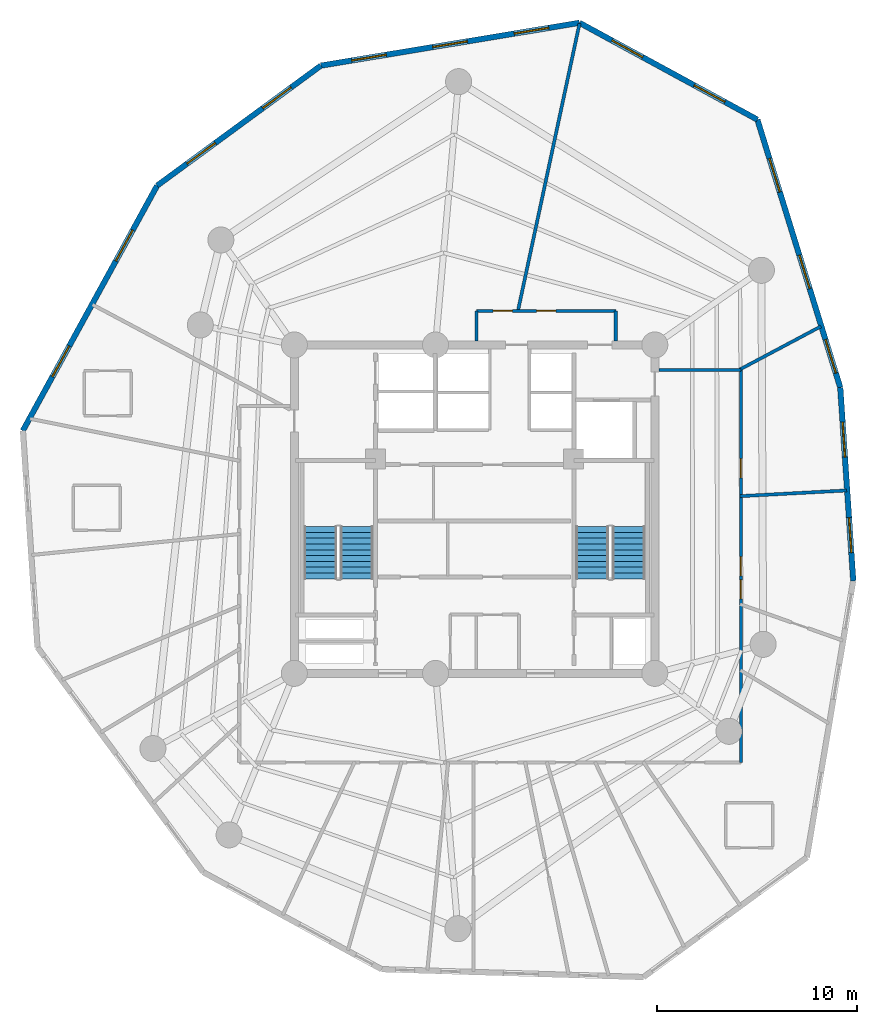
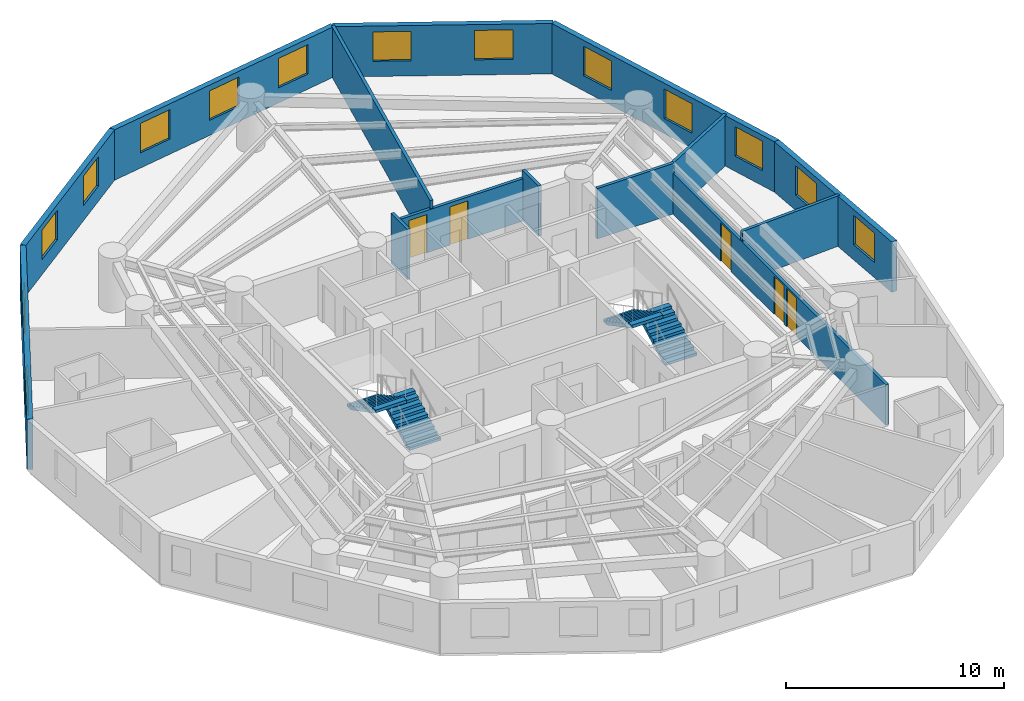
# One storey, part 6 of 7: 14 walls, 14 windows, 5 doors, 4 stair flights, 19 openings, 2 elements without a shape of their own.
"""IFC4 building model written with IfcOpenShell, lengths in metres."""

from ifc_helpers import new_model, si_unit, direction, frame, frame_2d, origin, origin_with_axes, place, context, subcontext, project, spatial, polyline, rectangle, outline, extrude, source, transform, mapped, material, layer, layer_set, type_object, element, fill, aggregate, save


model = new_model("IFC4")

# Units and contexts
model_context = context("Model", 3, precision=1e-05, world=origin(), true_north=direction((0.0, 1.0)))
body_context = subcontext(model_context, "Body", "Model", "MODEL_VIEW")
ifc_project = project(units=[si_unit("LENGTHUNIT", "METRE"), si_unit("AREAUNIT", "SQUARE_METRE"), si_unit("VOLUMEUNIT", "CUBIC_METRE"), si_unit("PLANEANGLEUNIT", "RADIAN"), si_unit("MASSUNIT", "GRAM", prefix="KILO")], contexts=[model_context])

# Site, building, storey
site_placement = place(None, origin())
site = spatial("IfcSite", under=ifc_project, at=site_placement, CompositionType="ELEMENT")
building_placement = place(site_placement, origin())
building = spatial("IfcBuilding", under=site, at=building_placement, Name="Karkom Vertical University and Central Library", CompositionType="ELEMENT")
storey_placement = place(building_placement, frame((0.0, 0.0, 196.199951171875)))
storey = spatial("IfcBuildingStorey", under=building, at=storey_placement, Name="L57", CompositionType="ELEMENT", Elevation=196.199951171875)

# Wall, openings, windows
ifc_material_1 = material(Name="Brick-faced precast concrete C45/55", Category="masonry")
ifc_layer_1 = layer(ifc_material_1, 0.280029296875)
ifc_layer_set_1 = layer_set([ifc_layer_1], Name="Brick-faced precast concrete C45/55")
wall_type_1 = type_object("IfcWallType", Name="ENV-WL-BRK-280", PredefinedType="SOLIDWALL", material=ifc_layer_set_1)
wall_1_placement = place(storey_placement, frame((47.41162109375, 22.9189453125, 0.0), z_axis=(0.0, 0.0, 1.0), x_axis=(-0.066992774764, 0.997753460595, 0.0)))
wall_1 = element("IfcWall", 1, at=wall_1_placement, inside=storey, type_object=wall_type_1, Name="Level 57 Brick-Faced Precast Facade Wall 07", PredefinedType="SOLIDWALL", context=body_context, shape_type="SweptSolid", body=[
    extrude(rectangle(XDim=9.67919921875, YDim=0.280029296875, at=frame_2d((4.839599609375, 0.0))), origin(), (0.0, 0.0, 1.0), 2.824951171875),
])
opening_1_placement = place(wall_1_placement, frame((1.4189453125, 0.0, 0.85009765625)))
opening_1 = element("IfcOpeningElement", 2, at=opening_1_placement, cuts=wall_1, Name="Opening WN-08", PredefinedType="OPENING", context=body_context, shape_type="SweptSolid", body=[
    extrude(rectangle(XDim=1.75, YDim=1.64990234375, at=frame_2d((0.875, 0.824951171875))), frame((0.0, 0.14990234375, 0.0), z_axis=(0.0, -1.0, 0.0), x_axis=(1.0, 0.0, 0.0)), (0.0, 0.0, 1.0), 0.300048828125),
])
opening_2_placement = place(wall_1_placement, frame((6.198486328125, 0.0, 0.85009765625)))
opening_2 = element("IfcOpeningElement", 3, at=opening_2_placement, cuts=wall_1, Name="Opening WN-08", PredefinedType="OPENING", context=body_context, shape_type="SweptSolid", body=[
    extrude(rectangle(XDim=1.75, YDim=1.64990234375, at=frame_2d((0.875, 0.824951171875))), frame((0.0, 0.14990234375, 0.0), z_axis=(0.0, -1.0, 0.0), x_axis=(1.0, 0.0, 0.0)), (0.0, 0.0, 1.0), 0.300048828125),
])
ifc_material_2 = material(Name="Aluminium thermal-break frame with solar-control IGU", Category="aluminium")
window_type = type_object("IfcWindowType", Name="ENV-WIN-WN-08", PartitioningType="SINGLE_PANEL", PredefinedType="WINDOW", material=ifc_material_2)
shared_shape_1 = source(origin_with_axes(), body_context, "Body", "SweptSolid", [
    extrude(rectangle(XDim=1.75, YDim=1.64990234375, at=frame_2d((0.875, 0.824951171875))), frame((0.0, 0.030029296875, 0.0), z_axis=(0.0, -1.0, 0.0), x_axis=(1.0, 0.0, 0.0)), (0.0, 0.0, 1.0), 0.06005859375),
])
window_1_placement = place(opening_1_placement, origin())
window_1 = element("IfcWindow", 4, at=window_1_placement, inside=storey, type_object=window_type, Name="Level 57 Punched Window 7.1", OverallHeight=1.64990234375, OverallWidth=1.75, PartitioningType="SINGLE_PANEL", PredefinedType="WINDOW", context=body_context, shape_type="MappedRepresentation", body=[
    mapped(shared_shape_1, transform((0.0, 0.0, 0.0), scale=1.0)),
])
fill(opening_1, window_1)
window_2_placement = place(opening_2_placement, origin())
window_2 = element("IfcWindow", 5, at=window_2_placement, inside=storey, type_object=window_type, Name="Level 57 Punched Window 7.2", OverallHeight=1.64990234375, OverallWidth=1.75, PartitioningType="SINGLE_PANEL", PredefinedType="WINDOW", context=body_context, shape_type="MappedRepresentation", body=[
    mapped(shared_shape_1, transform((0.0, 0.0, 0.0), scale=1.0)),
])
fill(opening_2, window_2)

wall_2_placement = place(storey_placement, frame((46.76318359375, 32.576416015625, 0.0), z_axis=(0.0, 0.0, 1.0), x_axis=(-0.295534848936, 0.955331959616, 0.0)))
wall_2 = element("IfcWall", 6, at=wall_2_placement, inside=storey, type_object=wall_type_1, Name="Level 57 Brick-Faced Precast Facade Wall 08", PredefinedType="SOLIDWALL", context=body_context, shape_type="SweptSolid", body=[
    extrude(rectangle(XDim=14.003173828125, YDim=0.280029296875, at=frame_2d((7.00146484375, 0.0))), origin(), (0.0, 0.0, 1.0), 2.824951171875),
])
opening_3_placement = place(wall_2_placement, frame((0.752197265625, 0.0, 0.85009765625)))
opening_3 = element("IfcOpeningElement", 7, at=opening_3_placement, cuts=wall_2, Name="Opening WN-08", PredefinedType="OPENING", context=body_context, shape_type="SweptSolid", body=[
    extrude(rectangle(XDim=1.75, YDim=1.64990234375, at=frame_2d((0.875, 0.824951171875))), frame((0.0, 0.14990234375, 0.0), z_axis=(0.0, -1.0, 0.0), x_axis=(1.0, 0.0, 0.0)), (0.0, 0.0, 1.0), 0.300048828125),
])
opening_4_placement = place(wall_2_placement, frame((5.16650390625, 0.0, 0.85009765625)))
opening_4 = element("IfcOpeningElement", 8, at=opening_4_placement, cuts=wall_2, Name="Opening WN-08", PredefinedType="OPENING", context=body_context, shape_type="SweptSolid", body=[
    extrude(rectangle(XDim=1.75, YDim=1.64990234375, at=frame_2d((0.875, 0.824951171875))), frame((0.0, 0.14990234375, 0.0), z_axis=(0.0, -1.0, 0.0), x_axis=(1.0, 0.0, 0.0)), (0.0, 0.0, 1.0), 0.300048828125),
])
opening_5_placement = place(wall_2_placement, frame((10.22119140625, 0.0, 0.85009765625)))
opening_5 = element("IfcOpeningElement", 9, at=opening_5_placement, cuts=wall_2, Name="Opening WN-08", PredefinedType="OPENING", context=body_context, shape_type="SweptSolid", body=[
    extrude(rectangle(XDim=1.75, YDim=1.64990234375, at=frame_2d((0.875, 0.824951171875))), frame((0.0, 0.14990234375, 0.0), z_axis=(0.0, -1.0, 0.0), x_axis=(1.0, 0.0, 0.0)), (0.0, 0.0, 1.0), 0.300048828125),
])
window_3_placement = place(opening_3_placement, origin())
window_3 = element("IfcWindow", 10, at=window_3_placement, inside=storey, type_object=window_type, Name="Level 57 Punched Window 8.1", OverallHeight=1.64990234375, OverallWidth=1.75, PartitioningType="SINGLE_PANEL", PredefinedType="WINDOW", context=body_context, shape_type="MappedRepresentation", body=[
    mapped(shared_shape_1, transform((0.0, 0.0, 0.0), scale=1.0)),
])
fill(opening_3, window_3)
window_4_placement = place(opening_4_placement, origin())
window_4 = element("IfcWindow", 11, at=window_4_placement, inside=storey, type_object=window_type, Name="Level 57 Punched Window 8.2", OverallHeight=1.64990234375, OverallWidth=1.75, PartitioningType="SINGLE_PANEL", PredefinedType="WINDOW", context=body_context, shape_type="MappedRepresentation", body=[
    mapped(shared_shape_1, transform((0.0, 0.0, 0.0), scale=1.0)),
])
fill(opening_4, window_4)
window_5_placement = place(opening_5_placement, origin())
window_5 = element("IfcWindow", 12, at=window_5_placement, inside=storey, type_object=window_type, Name="Level 57 Punched Window 8.3", OverallHeight=1.64990234375, OverallWidth=1.75, PartitioningType="SINGLE_PANEL", PredefinedType="WINDOW", context=body_context, shape_type="MappedRepresentation", body=[
    mapped(shared_shape_1, transform((0.0, 0.0, 0.0), scale=1.0)),
])
fill(opening_5, window_5)

wall_3_placement = place(storey_placement, frame((42.624755859375, 45.9541015625, 0.0), z_axis=(0.0, 0.0, 1.0), x_axis=(-0.878362695915, 0.477994743094, 0.0)))
wall_3 = element("IfcWall", 13, at=wall_3_placement, inside=storey, type_object=wall_type_1, Name="Level 57 Brick-Faced Precast Facade Wall 09", PredefinedType="SOLIDWALL", context=body_context, shape_type="SweptSolid", body=[
    extrude(rectangle(XDim=10.11767578125, YDim=0.280029296875, at=frame_2d((5.058837890625, 0.0))), origin(), (0.0, 0.0, 1.0), 2.824951171875),
])
opening_6_placement = place(wall_3_placement, frame((1.844482421875, 0.0, 0.85009765625)))
opening_6 = element("IfcOpeningElement", 14, at=opening_6_placement, cuts=wall_3, Name="Opening WN-08", PredefinedType="OPENING", context=body_context, shape_type="SweptSolid", body=[
    extrude(rectangle(XDim=1.75, YDim=1.64990234375, at=frame_2d((0.875, 0.824951171875))), frame((0.0, 0.14990234375, 0.0), z_axis=(0.0, -1.0, 0.0), x_axis=(1.0, 0.0, 0.0)), (0.0, 0.0, 1.0), 0.300048828125),
])
opening_7_placement = place(wall_3_placement, frame((6.523193359375, 0.0, 0.85009765625)))
opening_7 = element("IfcOpeningElement", 15, at=opening_7_placement, cuts=wall_3, Name="Opening WN-08", PredefinedType="OPENING", context=body_context, shape_type="SweptSolid", body=[
    extrude(rectangle(XDim=1.75, YDim=1.64990234375, at=frame_2d((0.875, 0.824951171875))), frame((0.0, 0.14990234375, 0.0), z_axis=(0.0, -1.0, 0.0), x_axis=(1.0, 0.0, 0.0)), (0.0, 0.0, 1.0), 0.300048828125),
])
window_6_placement = place(opening_6_placement, origin())
window_6 = element("IfcWindow", 16, at=window_6_placement, inside=storey, type_object=window_type, Name="Level 57 Punched Window 9.1", OverallHeight=1.64990234375, OverallWidth=1.75, PartitioningType="SINGLE_PANEL", PredefinedType="WINDOW", context=body_context, shape_type="MappedRepresentation", body=[
    mapped(shared_shape_1, transform((0.0, 0.0, 0.0), scale=1.0)),
])
fill(opening_6, window_6)
window_7_placement = place(opening_7_placement, origin())
window_7 = element("IfcWindow", 17, at=window_7_placement, inside=storey, type_object=window_type, Name="Level 57 Punched Window 9.2", OverallHeight=1.64990234375, OverallWidth=1.75, PartitioningType="SINGLE_PANEL", PredefinedType="WINDOW", context=body_context, shape_type="MappedRepresentation", body=[
    mapped(shared_shape_1, transform((0.0, 0.0, 0.0), scale=1.0)),
])
fill(opening_7, window_7)

wall_4_placement = place(storey_placement, frame((33.73779296875, 50.790283203125, 0.0), z_axis=(0.0, 0.0, 1.0), x_axis=(-0.98657580956, -0.163303925219, 0.0)))
wall_4 = element("IfcWall", 18, at=wall_4_placement, inside=storey, type_object=wall_type_1, Name="Level 57 Brick-Faced Precast Facade Wall 10", PredefinedType="SOLIDWALL", context=body_context, shape_type="SweptSolid", body=[
    extrude(rectangle(XDim=13.0888671875, YDim=0.280029296875, at=frame_2d((6.54443359375, 0.0))), origin(), (0.0, 0.0, 1.0), 2.824951171875),
])
opening_8_placement = place(wall_4_placement, frame((1.559814453125, 0.0, 0.85009765625)))
opening_8 = element("IfcOpeningElement", 19, at=opening_8_placement, cuts=wall_4, Name="Opening WN-08", PredefinedType="OPENING", context=body_context, shape_type="SweptSolid", body=[
    extrude(rectangle(XDim=1.75, YDim=1.64990234375, at=frame_2d((0.875, 0.824951171875))), frame((0.0, 0.14990234375, 0.0), z_axis=(0.0, -1.0, 0.0), x_axis=(1.0, 0.0, 0.0)), (0.0, 0.0, 1.0), 0.300048828125),
])
opening_9_placement = place(wall_4_placement, frame((5.66943359375, 0.0, 0.85009765625)))
opening_9 = element("IfcOpeningElement", 20, at=opening_9_placement, cuts=wall_4, Name="Opening WN-08", PredefinedType="OPENING", context=body_context, shape_type="SweptSolid", body=[
    extrude(rectangle(XDim=1.75, YDim=1.64990234375, at=frame_2d((0.875, 0.824951171875))), frame((0.0, 0.14990234375, 0.0), z_axis=(0.0, -1.0, 0.0), x_axis=(1.0, 0.0, 0.0)), (0.0, 0.0, 1.0), 0.300048828125),
])
opening_10_placement = place(wall_4_placement, frame((9.77880859375, 0.0, 0.85009765625)))
opening_10 = element("IfcOpeningElement", 21, at=opening_10_placement, cuts=wall_4, Name="Opening WN-08", PredefinedType="OPENING", context=body_context, shape_type="SweptSolid", body=[
    extrude(rectangle(XDim=1.75, YDim=1.64990234375, at=frame_2d((0.875, 0.824951171875))), frame((0.0, 0.14990234375, 0.0), z_axis=(0.0, -1.0, 0.0), x_axis=(1.0, 0.0, 0.0)), (0.0, 0.0, 1.0), 0.300048828125),
])
window_8_placement = place(opening_8_placement, origin())
window_8 = element("IfcWindow", 22, at=window_8_placement, inside=storey, type_object=window_type, Name="Level 57 Punched Window 10.1", OverallHeight=1.64990234375, OverallWidth=1.75, PartitioningType="SINGLE_PANEL", PredefinedType="WINDOW", context=body_context, shape_type="MappedRepresentation", body=[
    mapped(shared_shape_1, transform((0.0, 0.0, 0.0), scale=1.0)),
])
fill(opening_8, window_8)
window_9_placement = place(opening_9_placement, origin())
window_9 = element("IfcWindow", 23, at=window_9_placement, inside=storey, type_object=window_type, Name="Level 57 Punched Window 10.2", OverallHeight=1.64990234375, OverallWidth=1.75, PartitioningType="SINGLE_PANEL", PredefinedType="WINDOW", context=body_context, shape_type="MappedRepresentation", body=[
    mapped(shared_shape_1, transform((0.0, 0.0, 0.0), scale=1.0)),
])
fill(opening_9, window_9)
window_10_placement = place(opening_10_placement, origin())
window_10 = element("IfcWindow", 24, at=window_10_placement, inside=storey, type_object=window_type, Name="Level 57 Punched Window 10.3", OverallHeight=1.64990234375, OverallWidth=1.75, PartitioningType="SINGLE_PANEL", PredefinedType="WINDOW", context=body_context, shape_type="MappedRepresentation", body=[
    mapped(shared_shape_1, transform((0.0, 0.0, 0.0), scale=1.0)),
])
fill(opening_10, window_10)

wall_5_placement = place(storey_placement, frame((20.82470703125, 48.65283203125, 0.0), z_axis=(0.0, 0.0, 1.0), x_axis=(-0.80659938812, -0.591098491864, 0.0)))
wall_5 = element("IfcWall", 25, at=wall_5_placement, inside=storey, type_object=wall_type_1, Name="Level 57 Brick-Faced Precast Facade Wall 11", PredefinedType="SOLIDWALL", context=body_context, shape_type="SweptSolid", body=[
    extrude(rectangle(XDim=10.139404296875, YDim=0.280029296875, at=frame_2d((5.06982421875, 0.0))), origin(), (0.0, 0.0, 1.0), 2.824951171875),
])
opening_11_placement = place(wall_5_placement, frame((1.849853515625, 0.0, 0.85009765625)))
opening_11 = element("IfcOpeningElement", 26, at=opening_11_placement, cuts=wall_5, Name="Opening WN-08", PredefinedType="OPENING", context=body_context, shape_type="SweptSolid", body=[
    extrude(rectangle(XDim=1.75, YDim=1.64990234375, at=frame_2d((0.875, 0.824951171875))), frame((0.0, 0.14990234375, 0.0), z_axis=(0.0, -1.0, 0.0), x_axis=(1.0, 0.0, 0.0)), (0.0, 0.0, 1.0), 0.300048828125),
])
opening_12_placement = place(wall_5_placement, frame((6.53955078125, 0.0, 0.85009765625)))
opening_12 = element("IfcOpeningElement", 27, at=opening_12_placement, cuts=wall_5, Name="Opening WN-08", PredefinedType="OPENING", context=body_context, shape_type="SweptSolid", body=[
    extrude(rectangle(XDim=1.75, YDim=1.64990234375, at=frame_2d((0.875, 0.824951171875))), frame((0.0, 0.14990234375, 0.0), z_axis=(0.0, -1.0, 0.0), x_axis=(1.0, 0.0, 0.0)), (0.0, 0.0, 1.0), 0.300048828125),
])
window_11_placement = place(opening_11_placement, origin())
window_11 = element("IfcWindow", 28, at=window_11_placement, inside=storey, type_object=window_type, Name="Level 57 Punched Window 11.1", OverallHeight=1.64990234375, OverallWidth=1.75, PartitioningType="SINGLE_PANEL", PredefinedType="WINDOW", context=body_context, shape_type="MappedRepresentation", body=[
    mapped(shared_shape_1, transform((0.0, 0.0, 0.0), scale=1.0)),
])
fill(opening_11, window_11)
window_12_placement = place(opening_12_placement, origin())
window_12 = element("IfcWindow", 29, at=window_12_placement, inside=storey, type_object=window_type, Name="Level 57 Punched Window 11.2", OverallHeight=1.64990234375, OverallWidth=1.75, PartitioningType="SINGLE_PANEL", PredefinedType="WINDOW", context=body_context, shape_type="MappedRepresentation", body=[
    mapped(shared_shape_1, transform((0.0, 0.0, 0.0), scale=1.0)),
])
fill(opening_12, window_12)

wall_6_placement = place(storey_placement, frame((12.646240234375, 42.659423828125, 0.0), z_axis=(0.0, 0.0, 1.0), x_axis=(-0.480569294364, -0.87695675681, 0.0)))
wall_6 = element("IfcWall", 30, at=wall_6_placement, inside=storey, type_object=wall_type_1, Name="Level 57 Brick-Faced Precast Facade Wall 12", PredefinedType="SOLIDWALL", context=body_context, shape_type="SweptSolid", body=[
    extrude(rectangle(XDim=13.95849609375, YDim=0.280029296875, at=frame_2d((6.979248046875, 0.0))), origin(), (0.0, 0.0, 1.0), 2.824951171875),
])
opening_13_placement = place(wall_6_placement, frame((2.53759765625, 0.0, 0.85009765625)))
opening_13 = element("IfcOpeningElement", 31, at=opening_13_placement, cuts=wall_6, Name="Opening WN-08", PredefinedType="OPENING", context=body_context, shape_type="SweptSolid", body=[
    extrude(rectangle(XDim=1.75, YDim=1.64990234375, at=frame_2d((0.875, 0.824951171875))), frame((0.0, 0.14990234375, 0.0), z_axis=(0.0, -1.0, 0.0), x_axis=(1.0, 0.0, 0.0)), (0.0, 0.0, 1.0), 0.300048828125),
])
opening_14_placement = place(wall_6_placement, frame((9.13330078125, 0.0, 0.85009765625)))
opening_14 = element("IfcOpeningElement", 32, at=opening_14_placement, cuts=wall_6, Name="Opening WN-08", PredefinedType="OPENING", context=body_context, shape_type="SweptSolid", body=[
    extrude(rectangle(XDim=1.75, YDim=1.64990234375, at=frame_2d((0.875, 0.824951171875))), frame((0.0, 0.14990234375, 0.0), z_axis=(0.0, -1.0, 0.0), x_axis=(1.0, 0.0, 0.0)), (0.0, 0.0, 1.0), 0.300048828125),
])
window_13_placement = place(opening_13_placement, origin())
window_13 = element("IfcWindow", 33, at=window_13_placement, inside=storey, type_object=window_type, Name="Level 57 Punched Window 12.1", OverallHeight=1.64990234375, OverallWidth=1.75, PartitioningType="SINGLE_PANEL", PredefinedType="WINDOW", context=body_context, shape_type="MappedRepresentation", body=[
    mapped(shared_shape_1, transform((0.0, 0.0, 0.0), scale=1.0)),
])
fill(opening_13, window_13)
window_14_placement = place(opening_14_placement, origin())
window_14 = element("IfcWindow", 34, at=window_14_placement, inside=storey, type_object=window_type, Name="Level 57 Punched Window 12.2", OverallHeight=1.64990234375, OverallWidth=1.75, PartitioningType="SINGLE_PANEL", PredefinedType="WINDOW", context=body_context, shape_type="MappedRepresentation", body=[
    mapped(shared_shape_1, transform((0.0, 0.0, 0.0), scale=1.0)),
])
fill(opening_14, window_14)

# Wall, openings, doors
ifc_material_3 = material(Name="Insulated metal-stud drywall 160mm", Category="gypsum")
ifc_layer_2 = layer(ifc_material_3, 0.159912109375)
ifc_layer_set_2 = layer_set([ifc_layer_2], Name="Insulated metal-stud drywall 160mm")
wall_type_2 = type_object("IfcWallType", Name="INT-WL-COR-160", PredefinedType="PARTITIONING", material=ifc_layer_set_2)
wall_7_placement = place(storey_placement, frame((41.800048828125, 33.449951171875, 0.0), z_axis=(0.0, 0.0, 1.0), x_axis=(0.0, -1.0, 0.0)))
wall_7 = element("IfcWall", 35, at=wall_7_placement, inside=storey, type_object=wall_type_2, Name="Level 57 Interior Partition Wall L57-CORW-CW-005", PredefinedType="PARTITIONING", context=body_context, shape_type="SweptSolid", body=[
    extrude(rectangle(XDim=19.599853515625, YDim=0.159912109375, at=frame_2d((9.7998046875, 0.0))), origin(), (0.0, 0.0, 1.0), 2.275146484375),
])
opening_15_placement = place(wall_7_placement, frame((10.47509765625, 0.0, 0.0)))
opening_15 = element("IfcOpeningElement", 36, at=opening_15_placement, cuts=wall_7, Name="Opening FD-RM2", PredefinedType="OPENING", context=body_context, shape_type="SweptSolid", body=[
    extrude(rectangle(XDim=0.9599609375, YDim=2.14990234375, at=frame_2d((0.47998046875, 1.074951171875))), frame((0.0, 0.08984375, 0.0), z_axis=(0.0, -1.0, 0.0), x_axis=(1.0, 0.0, 0.0)), (0.0, 0.0, 1.0), 0.179931640625),
])
opening_16_placement = place(wall_7_placement, frame((9.324951171875, 0.0, 0.0)))
opening_16 = element("IfcOpeningElement", 37, at=opening_16_placement, cuts=wall_7, Name="Opening FD-RM2", PredefinedType="OPENING", context=body_context, shape_type="SweptSolid", body=[
    extrude(rectangle(XDim=0.9599609375, YDim=2.14990234375, at=frame_2d((0.47998046875, 1.074951171875))), frame((0.0, 0.08984375, 0.0), z_axis=(0.0, -1.0, 0.0), x_axis=(1.0, 0.0, 0.0)), (0.0, 0.0, 1.0), 0.179931640625),
])
opening_17_placement = place(wall_7_placement, frame((4.425048828125, 0.0, 0.0)))
opening_17 = element("IfcOpeningElement", 38, at=opening_17_placement, cuts=wall_7, Name="Opening FD-RM2", PredefinedType="OPENING", context=body_context, shape_type="SweptSolid", body=[
    extrude(rectangle(XDim=0.9599609375, YDim=2.14990234375, at=frame_2d((0.47998046875, 1.074951171875))), frame((0.0, 0.08984375, 0.0), z_axis=(0.0, -1.0, 0.0), x_axis=(1.0, 0.0, 0.0)), (0.0, 0.0, 1.0), 0.179931640625),
])
ifc_material_4 = material(Name="Fire-rated oak veneer door", Category="wood")
door_type = type_object("IfcDoorType", Name="INT-DR-FRM2", OperationType="NOTDEFINED", PredefinedType="DOOR", material=ifc_material_4)
shared_shape_2 = source(origin_with_axes(), body_context, "Body", "SweptSolid", [
    extrude(rectangle(XDim=0.9599609375, YDim=2.14990234375, at=frame_2d((0.47998046875, 1.074951171875))), frame((0.0, 0.02490234375, 0.0), z_axis=(0.0, -1.0, 0.0), x_axis=(1.0, 0.0, 0.0)), (0.0, 0.0, 1.0), 0.050048828125),
])
door_1_placement = place(opening_15_placement, origin())
door_1 = element("IfcDoor", 39, at=door_1_placement, inside=storey, type_object=door_type, Name="Level 57 Room Entry Door 121", OperationType="SINGLE_SWING_RIGHT", OverallHeight=2.14990234375, OverallWidth=0.9599609375, PredefinedType="DOOR", context=body_context, shape_type="MappedRepresentation", body=[
    mapped(shared_shape_2, transform((0.0, 0.0, 0.0), scale=1.0)),
])
fill(opening_15, door_1)
door_2_placement = place(opening_16_placement, origin())
door_2 = element("IfcDoor", 40, at=door_2_placement, inside=storey, type_object=door_type, Name="Level 57 Room Entry Door 131", OperationType="SINGLE_SWING_LEFT", OverallHeight=2.14990234375, OverallWidth=0.9599609375, PredefinedType="DOOR", context=body_context, shape_type="MappedRepresentation", body=[
    mapped(shared_shape_2, transform((0.0, 0.0, 0.0), scale=1.0)),
])
fill(opening_16, door_2)
door_3_placement = place(opening_17_placement, origin())
door_3 = element("IfcDoor", 41, at=door_3_placement, inside=storey, type_object=door_type, Name="Level 57 Room Entry Door 141", OperationType="SINGLE_SWING_RIGHT", OverallHeight=2.14990234375, OverallWidth=0.9599609375, PredefinedType="DOOR", context=body_context, shape_type="MappedRepresentation", body=[
    mapped(shared_shape_2, transform((0.0, 0.0, 0.0), scale=1.0)),
])
fill(opening_17, door_3)

# Wall
wall_8_placement = place(storey_placement, frame((30.6591796875, 36.37060546875, 0.0), z_axis=(0.0, 0.0, 1.0), x_axis=(0.209532488477, 0.977801685554, 0.0)))
element("IfcWall", 42, at=wall_8_placement, inside=storey, type_object=wall_type_2, Name="Level 57 Interior Partition Wall L57-PW-017", PredefinedType="PARTITIONING", context=body_context, shape_type="SweptSolid", body=[
    extrude(rectangle(XDim=14.712646484375, YDim=0.159912109375, at=frame_2d((7.3564453125, 0.0))), origin(), (0.0, 0.0, 1.0), 2.824951171875),
])

# Wall, openings, doors
wall_9_placement = place(storey_placement, frame((28.60009765625, 36.39990234375, 0.0), z_axis=(0.0, 0.0, 1.0), x_axis=(1.0, 0.0, 0.0)))
wall_9 = element("IfcWall", 43, at=wall_9_placement, inside=storey, type_object=wall_type_2, Name="Level 57 Interior Partition Wall L57-CORW-CW-007", PredefinedType="PARTITIONING", context=body_context, shape_type="SweptSolid", body=[
    extrude(rectangle(XDim=6.949951171875, YDim=0.159912109375, at=frame_2d((3.47509765625, 0.0))), origin(), (0.0, 0.0, 1.0), 2.375),
])
opening_18_placement = place(wall_9_placement, frame((3.0, 0.0, 0.0)))
opening_18 = element("IfcOpeningElement", 44, at=opening_18_placement, cuts=wall_9, Name="Opening FD-RM2", PredefinedType="OPENING", context=body_context, shape_type="SweptSolid", body=[
    extrude(rectangle(XDim=0.9599609375, YDim=2.14990234375, at=frame_2d((0.47998046875, 1.074951171875))), frame((0.0, 0.08984375, 0.0), z_axis=(0.0, -1.0, 0.0), x_axis=(1.0, 0.0, 0.0)), (0.0, 0.0, 1.0), 0.179931640625),
])
opening_19_placement = place(wall_9_placement, frame((0.822509765625, 0.0, 0.0)))
opening_19 = element("IfcOpeningElement", 45, at=opening_19_placement, cuts=wall_9, Name="Opening FD-RM2", PredefinedType="OPENING", context=body_context, shape_type="SweptSolid", body=[
    extrude(rectangle(XDim=0.9599609375, YDim=2.14990234375, at=frame_2d((0.47998046875, 1.074951171875))), frame((0.0, 0.08984375, 0.0), z_axis=(0.0, -1.0, 0.0), x_axis=(1.0, 0.0, 0.0)), (0.0, 0.0, 1.0), 0.179931640625),
])
door_4_placement = place(opening_18_placement, origin())
door_4 = element("IfcDoor", 46, at=door_4_placement, inside=storey, type_object=door_type, Name="Level 57 Room Entry Door 151", OperationType="SINGLE_SWING_LEFT", OverallHeight=2.14990234375, OverallWidth=0.9599609375, PredefinedType="DOOR", context=body_context, shape_type="MappedRepresentation", body=[
    mapped(shared_shape_2, transform((0.0, 0.0, 0.0), scale=1.0)),
])
fill(opening_18, door_4)
door_5_placement = place(opening_19_placement, origin())
door_5 = element("IfcDoor", 47, at=door_5_placement, inside=storey, type_object=door_type, Name="Level 57 Room Entry Door 161", OperationType="SINGLE_SWING_RIGHT", OverallHeight=2.14990234375, OverallWidth=0.9599609375, PredefinedType="DOOR", context=body_context, shape_type="MappedRepresentation", body=[
    mapped(shared_shape_2, transform((0.0, 0.0, 0.0), scale=1.0)),
])
fill(opening_19, door_5)

# Walls
wall_10_placement = place(storey_placement, frame((41.7548828125, 27.149169921875, 0.0), z_axis=(0.0, 0.0, 1.0), x_axis=(0.998571185588, 0.053437695628, 0.0)))
element("IfcWall", 48, at=wall_10_placement, inside=storey, type_object=wall_type_2, Name="Level 57 Interior Partition Wall L57-PW-015", PredefinedType="PARTITIONING", context=body_context, shape_type="SweptSolid", body=[
    extrude(rectangle(XDim=5.336181640625, YDim=0.159912109375, at=frame_2d((2.66796875, 0.0))), origin(), (0.0, 0.0, 1.0), 2.824951171875),
])
wall_11_placement = place(storey_placement, frame((41.67236328125, 33.435791015625, 0.0), z_axis=(0.0, 0.0, 1.0), x_axis=(0.88293884482, 0.469488015085, 0.0)))
element("IfcWall", 49, at=wall_11_placement, inside=storey, type_object=wall_type_2, Name="Level 57 Interior Partition Wall L57-PW-016", PredefinedType="PARTITIONING", context=body_context, shape_type="SweptSolid", body=[
    extrude(rectangle(XDim=4.666015625, YDim=0.159912109375, at=frame_2d((2.3330078125, 0.0))), origin(), (0.0, 0.0, 1.0), 2.824951171875),
])
wall_12_placement = place(storey_placement, frame((37.70703125, 33.449951171875, 0.0), z_axis=(0.0, 0.0, 1.0), x_axis=(1.0, 0.0, 0.0)))
element("IfcWall", 50, at=wall_12_placement, inside=storey, type_object=wall_type_2, Name="Level 57 Interior Partition Wall L57-CORW-CW-004", PredefinedType="PARTITIONING", context=body_context, shape_type="SweptSolid", body=[
    extrude(rectangle(XDim=4.093017578125, YDim=0.159912109375, at=frame_2d((2.04638671875, 0.0))), origin(), (0.0, 0.0, 1.0), 2.824951171875),
])
for number, where, z_axis, x_axis, name in (
    (51, (28.60009765625, 34.906982421875, 0.0), (0.0, 0.0, 1.0), (0.0, 1.0, 0.0), "Level 57 Interior Partition Wall L57-CORW-CW-006"),
    (52, (35.550048828125, 36.39990234375, 0.0), (0.0, 0.0, 1.0), (0.0, -1.0, 0.0), "Level 57 Interior Partition Wall L57-CORW-CW-008"),
):
    element("IfcWall", number, at=place(storey_placement, frame(where, z_axis=z_axis, x_axis=x_axis)), inside=storey, type_object=wall_type_2, Name=name, PredefinedType="PARTITIONING", context=body_context, shape_type="SweptSolid", body=[
        extrude(rectangle(XDim=1.492919921875, YDim=0.159912109375, at=frame_2d((0.74658203125, 0.0))), origin(), (0.0, 0.0, 1.0), 2.824951171875),
    ])

# Stair, stair flights
ifc_material_5 = material(Name="Concrete C45/55", Category="concrete")
stair_type = type_object("IfcStairType", Name="INT-STR-ST-MAIN", PredefinedType="HALF_TURN_STAIR", material=ifc_material_5)
stair_1_placement = place(storey_placement, origin())
stair_1 = element("IfcStair", 53, at=stair_1_placement, inside=storey, type_object=stair_type, Name="Level 57 Tower Protected Exit Stair ST-1", PredefinedType="HALF_TURN_STAIR")
stair_flight_type = type_object("IfcStairFlightType", Name="INT-SFL-ST-MAIN", PredefinedType="STRAIGHT", material=ifc_material_5)
stair_flight_1_placement = place(storey_placement, frame((22.614990234375, 23.02001953125, 0.0), z_axis=(0.0, 0.0, 1.0), x_axis=(0.0, 1.0, 0.0)))
stair_flight_1 = element("IfcStairFlight", 54, at=stair_flight_1_placement, type_object=stair_flight_type, Name="ST-1 flight 1", NumberOfRisers=10, NumberOfTreads=9, PredefinedType="STRAIGHT", RiserHeight=0.1525, TreadLength=0.29, context=body_context, shape_type="SweptSolid", body=[
    extrude(outline(polyline([(0.0, 0.0), (0.0, 0.152587890625), (0.2900390625, 0.152587890625), (0.2900390625, 0.304931640625), (0.580078125, 0.304931640625), (0.580078125, 0.45751953125), (0.8701171875, 0.45751953125), (0.8701171875, 0.610107421875), (1.159912109375, 0.610107421875), (1.159912109375, 0.762451171875), (1.449951171875, 0.762451171875), (1.449951171875, 0.9150390625), (1.739990234375, 0.9150390625), (1.739990234375, 1.0673828125), (2.030029296875, 1.0673828125), (2.030029296875, 1.219970703125), (2.320068359375, 1.219970703125), (2.320068359375, 1.37255859375), (2.610107421875, 1.37255859375), (2.610107421875, 1.52490234375), (2.610107421875, 1.203125), (0.322021484375, 0.0), (0.0, 0.0)])), frame((0.0, 0.824951171875, 0.0), z_axis=(0.0, -1.0, 0.0), x_axis=(1.0, 0.0, 0.0)), (0.0, 0.0, 1.0), 1.64990234375),
])
stair_flight_2_placement = place(storey_placement, frame((20.804931640625, 25.6298828125, 1.525146484375), z_axis=(0.0, 0.0, 1.0), x_axis=(0.0, -1.0, 0.0)))
stair_flight_2 = element("IfcStairFlight", 55, at=stair_flight_2_placement, type_object=stair_flight_type, Name="ST-1 flight 2", NumberOfRisers=10, NumberOfTreads=9, PredefinedType="STRAIGHT", RiserHeight=0.1525, TreadLength=0.29, context=body_context, shape_type="SweptSolid", body=[
    extrude(outline(polyline([(0.0, 0.0), (0.0, 0.152587890625), (0.2900390625, 0.152587890625), (0.2900390625, 0.304931640625), (0.580078125, 0.304931640625), (0.580078125, 0.45751953125), (0.8701171875, 0.45751953125), (0.8701171875, 0.610107421875), (1.159912109375, 0.610107421875), (1.159912109375, 0.762451171875), (1.449951171875, 0.762451171875), (1.449951171875, 0.9150390625), (1.739990234375, 0.9150390625), (1.739990234375, 1.0673828125), (2.030029296875, 1.0673828125), (2.030029296875, 1.219970703125), (2.320068359375, 1.219970703125), (2.320068359375, 1.37255859375), (2.610107421875, 1.37255859375), (2.610107421875, 1.52490234375), (2.610107421875, 1.203125), (0.322021484375, 0.0), (0.0, 0.0)])), frame((0.0, 0.824951171875, 0.0), z_axis=(0.0, -1.0, 0.0), x_axis=(1.0, 0.0, 0.0)), (0.0, 0.0, 1.0), 1.64990234375),
])
aggregate(stair_1, [stair_flight_1, stair_flight_2])

stair_2_placement = place(storey_placement, origin())
stair_2 = element("IfcStair", 56, at=stair_2_placement, inside=storey, type_object=stair_type, Name="Level 57 Tower Protected Exit Stair ST-2", PredefinedType="HALF_TURN_STAIR")
stair_flight_3_placement = place(storey_placement, frame((36.195068359375, 23.02001953125, 0.0), z_axis=(0.0, 0.0, 1.0), x_axis=(0.0, 1.0, 0.0)))
stair_flight_3 = element("IfcStairFlight", 57, at=stair_flight_3_placement, type_object=stair_flight_type, Name="ST-2 flight 1", NumberOfRisers=10, NumberOfTreads=9, PredefinedType="STRAIGHT", RiserHeight=0.1525, TreadLength=0.29, context=body_context, shape_type="SweptSolid", body=[
    extrude(outline(polyline([(0.0, 0.0), (0.0, 0.152587890625), (0.2900390625, 0.152587890625), (0.2900390625, 0.304931640625), (0.580078125, 0.304931640625), (0.580078125, 0.45751953125), (0.8701171875, 0.45751953125), (0.8701171875, 0.610107421875), (1.159912109375, 0.610107421875), (1.159912109375, 0.762451171875), (1.449951171875, 0.762451171875), (1.449951171875, 0.9150390625), (1.739990234375, 0.9150390625), (1.739990234375, 1.0673828125), (2.030029296875, 1.0673828125), (2.030029296875, 1.219970703125), (2.320068359375, 1.219970703125), (2.320068359375, 1.37255859375), (2.610107421875, 1.37255859375), (2.610107421875, 1.52490234375), (2.610107421875, 1.203125), (0.322021484375, 0.0), (0.0, 0.0)])), frame((0.0, 0.824951171875, 0.0), z_axis=(0.0, -1.0, 0.0), x_axis=(1.0, 0.0, 0.0)), (0.0, 0.0, 1.0), 1.64990234375),
])
stair_flight_4_placement = place(storey_placement, frame((34.385009765625, 25.6298828125, 1.525146484375), z_axis=(0.0, 0.0, 1.0), x_axis=(0.0, -1.0, 0.0)))
stair_flight_4 = element("IfcStairFlight", 58, at=stair_flight_4_placement, type_object=stair_flight_type, Name="ST-2 flight 2", NumberOfRisers=10, NumberOfTreads=9, PredefinedType="STRAIGHT", RiserHeight=0.1525, TreadLength=0.29, context=body_context, shape_type="SweptSolid", body=[
    extrude(outline(polyline([(0.0, 0.0), (0.0, 0.152587890625), (0.2900390625, 0.152587890625), (0.2900390625, 0.304931640625), (0.580078125, 0.304931640625), (0.580078125, 0.45751953125), (0.8701171875, 0.45751953125), (0.8701171875, 0.610107421875), (1.159912109375, 0.610107421875), (1.159912109375, 0.762451171875), (1.449951171875, 0.762451171875), (1.449951171875, 0.9150390625), (1.739990234375, 0.9150390625), (1.739990234375, 1.0673828125), (2.030029296875, 1.0673828125), (2.030029296875, 1.219970703125), (2.320068359375, 1.219970703125), (2.320068359375, 1.37255859375), (2.610107421875, 1.37255859375), (2.610107421875, 1.52490234375), (2.610107421875, 1.203125), (0.322021484375, 0.0), (0.0, 0.0)])), frame((0.0, 0.824951171875, 0.0), z_axis=(0.0, -1.0, 0.0), x_axis=(1.0, 0.0, 0.0)), (0.0, 0.0, 1.0), 1.64990234375),
])
aggregate(stair_2, [stair_flight_3, stair_flight_4])

save(model, "model.ifc")
